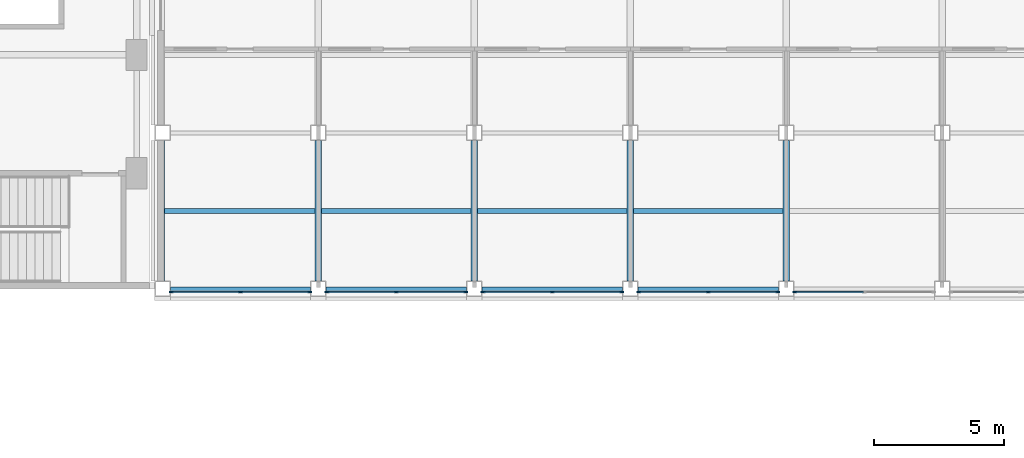
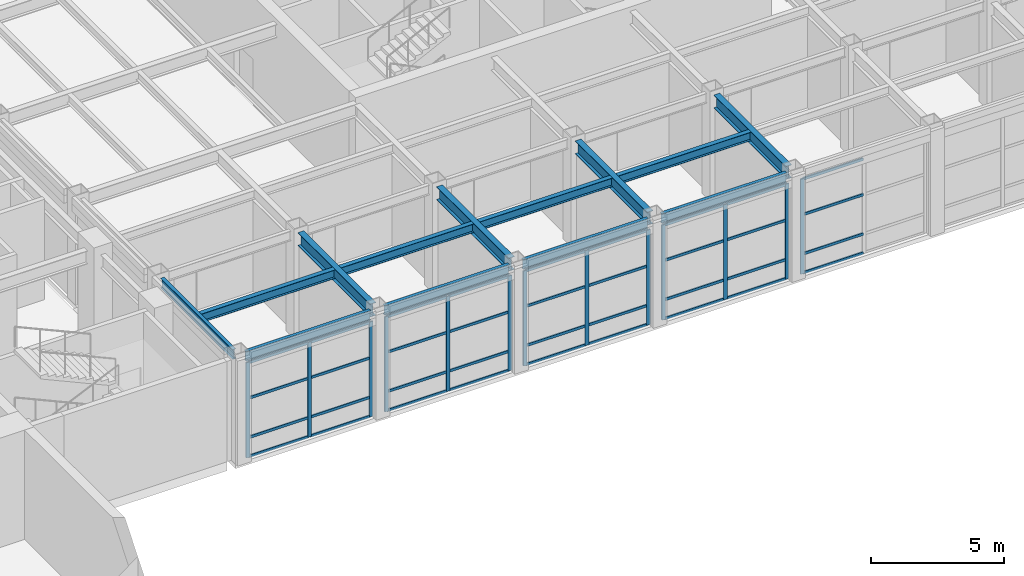
# One storey, part 10 of 67: 49 members, 13 beams, 5 elements without a shape of their own.
"""IFC4 building model written with IfcOpenShell, lengths in metres."""

from ifc_helpers import new_model, si_unit, direction, frame, origin, origin_2d, place, context, subcontext, project, spatial, rectangle, i_section, extrude, material, material_profile, profile_set, type_object, element, aggregate, save


model = new_model("IFC4")

# Units and contexts
model_context = context("Model", 3, precision=1e-05, world=origin(), true_north=direction((0.0, 1.0)))
body_context = subcontext(model_context, "Body", "Model", "MODEL_VIEW")
ifc_project = project(units=[si_unit("LENGTHUNIT", "METRE"), si_unit("AREAUNIT", "SQUARE_METRE"), si_unit("VOLUMEUNIT", "CUBIC_METRE"), si_unit("PLANEANGLEUNIT", "RADIAN"), si_unit("MASSUNIT", "GRAM", prefix="KILO")], contexts=[model_context])

# Site, building, storey
site_placement = place(None, origin())
site = spatial("IfcSite", under=ifc_project, at=site_placement, CompositionType="ELEMENT")
building_placement = place(site_placement, origin())
building = spatial("IfcBuilding", under=site, at=building_placement, Name="Aravalli Gate Trade Fair Centre", CompositionType="ELEMENT")
storey_placement = place(building_placement, frame((0.0, 0.0, 5.0)))
storey = spatial("IfcBuildingStorey", under=building, at=storey_placement, Name="L01", CompositionType="ELEMENT", Elevation=5.0)

# Beams
ifc_material_1 = material(Name="Steel E350", Category="steel")
ifc_material_profile_1 = material_profile(ifc_material_1, i_section(OverallWidth=0.25, OverallDepth=0.60009765625, WebThickness=0.01123046875, FlangeThickness=0.021240234375, at=origin_2d()), Name="ISWB 600")
ifc_profile_set_1 = profile_set([ifc_material_profile_1], Name="Steel E350")
beam_type_1 = type_object("IfcBeamType", Name="Wing core to perimeter girder ISWB 600 (podium floors)", PredefinedType="BEAM", material=ifc_profile_set_1)
for number, where, z_axis, x_axis, name in (
    (1, (172.0, 91.300048828125, 4.5), (0.0, 1.0, 0.0), (-1.0, 0.0, 0.0), "Core to perimeter girder PS0a L02"),
    (2, (178.0, 91.300048828125, 4.5), (0.0, 1.0, 0.0), (-1.0, 0.0, 0.0), "Core to perimeter girder PS1a L02"),
    (3, (184.0, 91.300048828125, 4.5), (0.0, 1.0, 0.0), (-1.0, 0.0, 0.0), "Core to perimeter girder PS2a L02"),
):
    element("IfcBeam", number, at=place(storey_placement, frame(where, z_axis=z_axis, x_axis=x_axis)), inside=storey, type_object=beam_type_1, Name=name, PredefinedType="BEAM", context=body_context, shape_type="SweptSolid", body=[
        extrude(i_section(OverallWidth=0.25, OverallDepth=0.60009765625, WebThickness=0.01123046875, FlangeThickness=0.021240234375, at=origin_2d()), origin(), (0.0, 0.0, 1.0), 5.39990234375),
    ])
ifc_material_profile_2 = material_profile(ifc_material_1, i_section(OverallWidth=0.25, OverallDepth=0.60009765625, WebThickness=0.01123046875, FlangeThickness=0.021240234375, at=origin_2d()), Name="ISWB 600")
ifc_profile_set_2 = profile_set([ifc_material_profile_2], Name="Steel E350")
beam_type_2 = type_object("IfcBeamType", Name="Wing corner transfer girder ISWB 600 (podium floors)", PredefinedType="BEAM", material=ifc_profile_set_2)
beam_1_placement = place(storey_placement, frame((166.0, 91.300048828125, 4.5), z_axis=(0.0, 1.0, 0.0), x_axis=(-1.0, 0.0, 0.0)))
element("IfcBeam", 4, at=beam_1_placement, inside=storey, type_object=beam_type_2, Name="Corner transfer girder CSWya L02", PredefinedType="BEAM", context=body_context, shape_type="SweptSolid", body=[
    extrude(i_section(OverallWidth=0.25, OverallDepth=0.60009765625, WebThickness=0.01123046875, FlangeThickness=0.021240234375, at=origin_2d()), origin(), (0.0, 0.0, 1.0), 5.39990234375),
])

# Curtain wall, members
ifc_material_2 = material(Name="Aluminium and glass", Category="aluminium")
curtain_wall_type = type_object("IfcCurtainWallType", Name="Wing curtain wall", PredefinedType="NOTDEFINED", material=ifc_material_2)
curtain_wall_1_placement = place(storey_placement, origin())
curtain_wall_1 = element("IfcCurtainWall", 5, at=curtain_wall_1_placement, inside=storey, type_object=curtain_wall_type, Name="Curtain wall S0 L01", PredefinedType="NOTDEFINED")
ifc_material_3 = material(Name="Aluminium", Category="aluminium")
ifc_material_profile_3 = material_profile(ifc_material_3, rectangle(XDim=0.06005859375, YDim=0.159912109375, at=origin_2d()), Name="Wing curtain wall mullion 60 x 160")
ifc_profile_set_3 = profile_set([ifc_material_profile_3], Name="Aluminium")
member_type_1 = type_object("IfcMemberType", Name="Wing curtain wall mullion 60 x 160", PredefinedType="MULLION", material=ifc_profile_set_3)
member_1_placement = place(storey_placement, frame((160.330078125, 90.875, 0.0), z_axis=(0.0, 0.0, 1.0), x_axis=(0.0, 1.0, 0.0)))
member_1 = element("IfcMember", 6, at=member_1_placement, type_object=member_type_1, Name="TCW1 mullion 1", PredefinedType="MULLION", context=body_context, shape_type="SweptSolid", body=[
    extrude(rectangle(XDim=0.06005859375, YDim=0.159912109375, at=origin_2d()), origin(), (0.0, 0.0, 1.0), 4.35009765625),
])
member_2_placement = place(storey_placement, frame((163.0, 90.875, 0.0), z_axis=(0.0, 0.0, 1.0), x_axis=(0.0, 1.0, 0.0)))
member_2 = element("IfcMember", 7, at=member_2_placement, type_object=member_type_1, Name="TCW1 mullion 2", PredefinedType="MULLION", context=body_context, shape_type="SweptSolid", body=[
    extrude(rectangle(XDim=0.06005859375, YDim=0.159912109375, at=origin_2d()), origin(), (0.0, 0.0, 1.0), 4.35009765625),
])
member_3_placement = place(storey_placement, frame((165.669921875, 90.875, 0.0), z_axis=(0.0, 0.0, 1.0), x_axis=(0.0, 1.0, 0.0)))
member_3 = element("IfcMember", 8, at=member_3_placement, type_object=member_type_1, Name="TCW1 mullion 3", PredefinedType="MULLION", context=body_context, shape_type="SweptSolid", body=[
    extrude(rectangle(XDim=0.06005859375, YDim=0.159912109375, at=origin_2d()), origin(), (0.0, 0.0, 1.0), 4.35009765625),
])

curtain_wall_2_placement = place(storey_placement, origin())
curtain_wall_2 = element("IfcCurtainWall", 9, at=curtain_wall_2_placement, inside=storey, type_object=curtain_wall_type, Name="Curtain wall S1 L01", PredefinedType="NOTDEFINED")
member_4_placement = place(storey_placement, frame((166.330078125, 90.875, 0.0), z_axis=(0.0, 0.0, 1.0), x_axis=(0.0, 1.0, 0.0)))
member_4 = element("IfcMember", 10, at=member_4_placement, type_object=member_type_1, Name="TCW1 mullion 1", PredefinedType="MULLION", context=body_context, shape_type="SweptSolid", body=[
    extrude(rectangle(XDim=0.06005859375, YDim=0.159912109375, at=origin_2d()), origin(), (0.0, 0.0, 1.0), 4.35009765625),
])
member_5_placement = place(storey_placement, frame((169.0, 90.875, 0.0), z_axis=(0.0, 0.0, 1.0), x_axis=(0.0, 1.0, 0.0)))
member_5 = element("IfcMember", 11, at=member_5_placement, type_object=member_type_1, Name="TCW1 mullion 2", PredefinedType="MULLION", context=body_context, shape_type="SweptSolid", body=[
    extrude(rectangle(XDim=0.06005859375, YDim=0.159912109375, at=origin_2d()), origin(), (0.0, 0.0, 1.0), 4.35009765625),
])
member_6_placement = place(storey_placement, frame((171.669921875, 90.875, 0.0), z_axis=(0.0, 0.0, 1.0), x_axis=(0.0, 1.0, 0.0)))
member_6 = element("IfcMember", 12, at=member_6_placement, type_object=member_type_1, Name="TCW1 mullion 3", PredefinedType="MULLION", context=body_context, shape_type="SweptSolid", body=[
    extrude(rectangle(XDim=0.06005859375, YDim=0.159912109375, at=origin_2d()), origin(), (0.0, 0.0, 1.0), 4.35009765625),
])

curtain_wall_3_placement = place(storey_placement, origin())
curtain_wall_3 = element("IfcCurtainWall", 13, at=curtain_wall_3_placement, inside=storey, type_object=curtain_wall_type, Name="Curtain wall S2 L01", PredefinedType="NOTDEFINED")
member_7_placement = place(storey_placement, frame((172.330078125, 90.875, 0.0), z_axis=(0.0, 0.0, 1.0), x_axis=(0.0, 1.0, 0.0)))
member_7 = element("IfcMember", 14, at=member_7_placement, type_object=member_type_1, Name="TCW1 mullion 1", PredefinedType="MULLION", context=body_context, shape_type="SweptSolid", body=[
    extrude(rectangle(XDim=0.06005859375, YDim=0.159912109375, at=origin_2d()), origin(), (0.0, 0.0, 1.0), 4.35009765625),
])
member_8_placement = place(storey_placement, frame((175.0, 90.875, 0.0), z_axis=(0.0, 0.0, 1.0), x_axis=(0.0, 1.0, 0.0)))
member_8 = element("IfcMember", 15, at=member_8_placement, type_object=member_type_1, Name="TCW1 mullion 2", PredefinedType="MULLION", context=body_context, shape_type="SweptSolid", body=[
    extrude(rectangle(XDim=0.06005859375, YDim=0.159912109375, at=origin_2d()), origin(), (0.0, 0.0, 1.0), 4.35009765625),
])
member_9_placement = place(storey_placement, frame((177.669921875, 90.875, 0.0), z_axis=(0.0, 0.0, 1.0), x_axis=(0.0, 1.0, 0.0)))
member_9 = element("IfcMember", 16, at=member_9_placement, type_object=member_type_1, Name="TCW1 mullion 3", PredefinedType="MULLION", context=body_context, shape_type="SweptSolid", body=[
    extrude(rectangle(XDim=0.06005859375, YDim=0.159912109375, at=origin_2d()), origin(), (0.0, 0.0, 1.0), 4.35009765625),
])

curtain_wall_4_placement = place(storey_placement, origin())
curtain_wall_4 = element("IfcCurtainWall", 17, at=curtain_wall_4_placement, inside=storey, type_object=curtain_wall_type, Name="Curtain wall S3 L01", PredefinedType="NOTDEFINED")
member_10_placement = place(storey_placement, frame((178.330078125, 90.875, 0.0), z_axis=(0.0, 0.0, 1.0), x_axis=(0.0, 1.0, 0.0)))
member_10 = element("IfcMember", 18, at=member_10_placement, type_object=member_type_1, Name="TCW1 mullion 1", PredefinedType="MULLION", context=body_context, shape_type="SweptSolid", body=[
    extrude(rectangle(XDim=0.06005859375, YDim=0.159912109375, at=origin_2d()), origin(), (0.0, 0.0, 1.0), 4.35009765625),
])
member_11_placement = place(storey_placement, frame((181.0, 90.875, 0.0), z_axis=(0.0, 0.0, 1.0), x_axis=(0.0, 1.0, 0.0)))
member_11 = element("IfcMember", 19, at=member_11_placement, type_object=member_type_1, Name="TCW1 mullion 2", PredefinedType="MULLION", context=body_context, shape_type="SweptSolid", body=[
    extrude(rectangle(XDim=0.06005859375, YDim=0.159912109375, at=origin_2d()), origin(), (0.0, 0.0, 1.0), 4.35009765625),
])
member_12_placement = place(storey_placement, frame((183.669921875, 90.875, 0.0), z_axis=(0.0, 0.0, 1.0), x_axis=(0.0, 1.0, 0.0)))
member_12 = element("IfcMember", 20, at=member_12_placement, type_object=member_type_1, Name="TCW1 mullion 3", PredefinedType="MULLION", context=body_context, shape_type="SweptSolid", body=[
    extrude(rectangle(XDim=0.06005859375, YDim=0.159912109375, at=origin_2d()), origin(), (0.0, 0.0, 1.0), 4.35009765625),
])

# Curtain wall, member
curtain_wall_5_placement = place(storey_placement, origin())
curtain_wall_5 = element("IfcCurtainWall", 21, at=curtain_wall_5_placement, inside=storey, type_object=curtain_wall_type, Name="Curtain wall S4 L01", PredefinedType="NOTDEFINED")
member_13_placement = place(storey_placement, frame((184.330078125, 90.875, 0.0), z_axis=(0.0, 0.0, 1.0), x_axis=(0.0, 1.0, 0.0)))
member_13 = element("IfcMember", 22, at=member_13_placement, type_object=member_type_1, Name="TCW1 mullion 1", PredefinedType="MULLION", context=body_context, shape_type="SweptSolid", body=[
    extrude(rectangle(XDim=0.06005859375, YDim=0.159912109375, at=origin_2d()), origin(), (0.0, 0.0, 1.0), 4.35009765625),
])

# Member
ifc_material_profile_4 = material_profile(ifc_material_3, rectangle(XDim=0.06005859375, YDim=0.1201171875, at=origin_2d()), Name="Wing curtain wall transom 60 x 120")
ifc_profile_set_4 = profile_set([ifc_material_profile_4], Name="Aluminium")
member_type_2 = type_object("IfcMemberType", Name="Wing curtain wall transom 60 x 120", PredefinedType="USERDEFINED", material=ifc_profile_set_4)
member_14_placement = place(storey_placement, frame((160.360107421875, 90.875, 0.030029296875), z_axis=(1.0, 0.0, 0.0), x_axis=(0.0, 1.0, 0.0)))
member_14 = element("IfcMember", 23, at=member_14_placement, type_object=member_type_2, Name="TCW1 transom 1.1", ObjectType="TRANSOM", PredefinedType="USERDEFINED", context=body_context, shape_type="SweptSolid", body=[
    extrude(rectangle(XDim=0.06005859375, YDim=0.1201171875, at=origin_2d()), origin(), (0.0, 0.0, 1.0), 2.60986328125),
])

member_15_placement = place(storey_placement, frame((160.360107421875, 90.875, 0.89990234375), z_axis=(1.0, 0.0, 0.0), x_axis=(0.0, 1.0, 0.0)))
member_15 = element("IfcMember", 24, at=member_15_placement, type_object=member_type_2, Name="TCW1 transom 1.2", ObjectType="TRANSOM", PredefinedType="USERDEFINED", context=body_context, shape_type="SweptSolid", body=[
    extrude(rectangle(XDim=0.06005859375, YDim=0.1201171875, at=origin_2d()), origin(), (0.0, 0.0, 1.0), 2.60986328125),
])

member_16_placement = place(storey_placement, frame((160.360107421875, 90.875, 2.699951171875), z_axis=(1.0, 0.0, 0.0), x_axis=(0.0, 1.0, 0.0)))
member_16 = element("IfcMember", 25, at=member_16_placement, type_object=member_type_2, Name="TCW1 transom 1.3", ObjectType="TRANSOM", PredefinedType="USERDEFINED", context=body_context, shape_type="SweptSolid", body=[
    extrude(rectangle(XDim=0.06005859375, YDim=0.1201171875, at=origin_2d()), origin(), (0.0, 0.0, 1.0), 2.60986328125),
])

member_17_placement = place(storey_placement, frame((160.360107421875, 90.875, 4.320068359375), z_axis=(1.0, 0.0, 0.0), x_axis=(0.0, 1.0, 0.0)))
member_17 = element("IfcMember", 26, at=member_17_placement, type_object=member_type_2, Name="TCW1 transom 1.4", ObjectType="TRANSOM", PredefinedType="USERDEFINED", context=body_context, shape_type="SweptSolid", body=[
    extrude(rectangle(XDim=0.06005859375, YDim=0.1201171875, at=origin_2d()), origin(), (0.0, 0.0, 1.0), 2.60986328125),
])

member_18_placement = place(storey_placement, frame((163.030029296875, 90.875, 0.030029296875), z_axis=(1.0, 0.0, 0.0), x_axis=(0.0, 1.0, 0.0)))
member_18 = element("IfcMember", 27, at=member_18_placement, type_object=member_type_2, Name="TCW1 transom 2.1", ObjectType="TRANSOM", PredefinedType="USERDEFINED", context=body_context, shape_type="SweptSolid", body=[
    extrude(rectangle(XDim=0.06005859375, YDim=0.1201171875, at=origin_2d()), origin(), (0.0, 0.0, 1.0), 2.60986328125),
])

member_19_placement = place(storey_placement, frame((163.030029296875, 90.875, 0.89990234375), z_axis=(1.0, 0.0, 0.0), x_axis=(0.0, 1.0, 0.0)))
member_19 = element("IfcMember", 28, at=member_19_placement, type_object=member_type_2, Name="TCW1 transom 2.2", ObjectType="TRANSOM", PredefinedType="USERDEFINED", context=body_context, shape_type="SweptSolid", body=[
    extrude(rectangle(XDim=0.06005859375, YDim=0.1201171875, at=origin_2d()), origin(), (0.0, 0.0, 1.0), 2.60986328125),
])

member_20_placement = place(storey_placement, frame((163.030029296875, 90.875, 2.699951171875), z_axis=(1.0, 0.0, 0.0), x_axis=(0.0, 1.0, 0.0)))
member_20 = element("IfcMember", 29, at=member_20_placement, type_object=member_type_2, Name="TCW1 transom 2.3", ObjectType="TRANSOM", PredefinedType="USERDEFINED", context=body_context, shape_type="SweptSolid", body=[
    extrude(rectangle(XDim=0.06005859375, YDim=0.1201171875, at=origin_2d()), origin(), (0.0, 0.0, 1.0), 2.60986328125),
])

member_21_placement = place(storey_placement, frame((163.030029296875, 90.875, 4.320068359375), z_axis=(1.0, 0.0, 0.0), x_axis=(0.0, 1.0, 0.0)))
member_21 = element("IfcMember", 30, at=member_21_placement, type_object=member_type_2, Name="TCW1 transom 2.4", ObjectType="TRANSOM", PredefinedType="USERDEFINED", context=body_context, shape_type="SweptSolid", body=[
    extrude(rectangle(XDim=0.06005859375, YDim=0.1201171875, at=origin_2d()), origin(), (0.0, 0.0, 1.0), 2.60986328125),
])

aggregate(curtain_wall_1, [member_1, member_2, member_3, member_14, member_15, member_16, member_17, member_18, member_19, member_20, member_21])

member_22_placement = place(storey_placement, frame((166.360107421875, 90.875, 0.030029296875), z_axis=(1.0, 0.0, 0.0), x_axis=(0.0, 1.0, 0.0)))
member_22 = element("IfcMember", 31, at=member_22_placement, type_object=member_type_2, Name="TCW1 transom 1.1", ObjectType="TRANSOM", PredefinedType="USERDEFINED", context=body_context, shape_type="SweptSolid", body=[
    extrude(rectangle(XDim=0.06005859375, YDim=0.1201171875, at=origin_2d()), origin(), (0.0, 0.0, 1.0), 2.60986328125),
])

member_23_placement = place(storey_placement, frame((166.360107421875, 90.875, 0.89990234375), z_axis=(1.0, 0.0, 0.0), x_axis=(0.0, 1.0, 0.0)))
member_23 = element("IfcMember", 32, at=member_23_placement, type_object=member_type_2, Name="TCW1 transom 1.2", ObjectType="TRANSOM", PredefinedType="USERDEFINED", context=body_context, shape_type="SweptSolid", body=[
    extrude(rectangle(XDim=0.06005859375, YDim=0.1201171875, at=origin_2d()), origin(), (0.0, 0.0, 1.0), 2.60986328125),
])

member_24_placement = place(storey_placement, frame((166.360107421875, 90.875, 2.699951171875), z_axis=(1.0, 0.0, 0.0), x_axis=(0.0, 1.0, 0.0)))
member_24 = element("IfcMember", 33, at=member_24_placement, type_object=member_type_2, Name="TCW1 transom 1.3", ObjectType="TRANSOM", PredefinedType="USERDEFINED", context=body_context, shape_type="SweptSolid", body=[
    extrude(rectangle(XDim=0.06005859375, YDim=0.1201171875, at=origin_2d()), origin(), (0.0, 0.0, 1.0), 2.60986328125),
])

member_25_placement = place(storey_placement, frame((166.360107421875, 90.875, 4.320068359375), z_axis=(1.0, 0.0, 0.0), x_axis=(0.0, 1.0, 0.0)))
member_25 = element("IfcMember", 34, at=member_25_placement, type_object=member_type_2, Name="TCW1 transom 1.4", ObjectType="TRANSOM", PredefinedType="USERDEFINED", context=body_context, shape_type="SweptSolid", body=[
    extrude(rectangle(XDim=0.06005859375, YDim=0.1201171875, at=origin_2d()), origin(), (0.0, 0.0, 1.0), 2.60986328125),
])

member_26_placement = place(storey_placement, frame((169.030029296875, 90.875, 0.030029296875), z_axis=(1.0, 0.0, 0.0), x_axis=(0.0, 1.0, 0.0)))
member_26 = element("IfcMember", 35, at=member_26_placement, type_object=member_type_2, Name="TCW1 transom 2.1", ObjectType="TRANSOM", PredefinedType="USERDEFINED", context=body_context, shape_type="SweptSolid", body=[
    extrude(rectangle(XDim=0.06005859375, YDim=0.1201171875, at=origin_2d()), origin(), (0.0, 0.0, 1.0), 2.60986328125),
])

member_27_placement = place(storey_placement, frame((169.030029296875, 90.875, 0.89990234375), z_axis=(1.0, 0.0, 0.0), x_axis=(0.0, 1.0, 0.0)))
member_27 = element("IfcMember", 36, at=member_27_placement, type_object=member_type_2, Name="TCW1 transom 2.2", ObjectType="TRANSOM", PredefinedType="USERDEFINED", context=body_context, shape_type="SweptSolid", body=[
    extrude(rectangle(XDim=0.06005859375, YDim=0.1201171875, at=origin_2d()), origin(), (0.0, 0.0, 1.0), 2.60986328125),
])

member_28_placement = place(storey_placement, frame((169.030029296875, 90.875, 2.699951171875), z_axis=(1.0, 0.0, 0.0), x_axis=(0.0, 1.0, 0.0)))
member_28 = element("IfcMember", 37, at=member_28_placement, type_object=member_type_2, Name="TCW1 transom 2.3", ObjectType="TRANSOM", PredefinedType="USERDEFINED", context=body_context, shape_type="SweptSolid", body=[
    extrude(rectangle(XDim=0.06005859375, YDim=0.1201171875, at=origin_2d()), origin(), (0.0, 0.0, 1.0), 2.60986328125),
])

member_29_placement = place(storey_placement, frame((169.030029296875, 90.875, 4.320068359375), z_axis=(1.0, 0.0, 0.0), x_axis=(0.0, 1.0, 0.0)))
member_29 = element("IfcMember", 38, at=member_29_placement, type_object=member_type_2, Name="TCW1 transom 2.4", ObjectType="TRANSOM", PredefinedType="USERDEFINED", context=body_context, shape_type="SweptSolid", body=[
    extrude(rectangle(XDim=0.06005859375, YDim=0.1201171875, at=origin_2d()), origin(), (0.0, 0.0, 1.0), 2.60986328125),
])

aggregate(curtain_wall_2, [member_4, member_5, member_6, member_22, member_23, member_24, member_25, member_26, member_27, member_28, member_29])

member_30_placement = place(storey_placement, frame((172.360107421875, 90.875, 0.030029296875), z_axis=(1.0, 0.0, 0.0), x_axis=(0.0, 1.0, 0.0)))
member_30 = element("IfcMember", 39, at=member_30_placement, type_object=member_type_2, Name="TCW1 transom 1.1", ObjectType="TRANSOM", PredefinedType="USERDEFINED", context=body_context, shape_type="SweptSolid", body=[
    extrude(rectangle(XDim=0.06005859375, YDim=0.1201171875, at=origin_2d()), origin(), (0.0, 0.0, 1.0), 2.60986328125),
])

member_31_placement = place(storey_placement, frame((172.360107421875, 90.875, 0.89990234375), z_axis=(1.0, 0.0, 0.0), x_axis=(0.0, 1.0, 0.0)))
member_31 = element("IfcMember", 40, at=member_31_placement, type_object=member_type_2, Name="TCW1 transom 1.2", ObjectType="TRANSOM", PredefinedType="USERDEFINED", context=body_context, shape_type="SweptSolid", body=[
    extrude(rectangle(XDim=0.06005859375, YDim=0.1201171875, at=origin_2d()), origin(), (0.0, 0.0, 1.0), 2.60986328125),
])

member_32_placement = place(storey_placement, frame((172.360107421875, 90.875, 2.699951171875), z_axis=(1.0, 0.0, 0.0), x_axis=(0.0, 1.0, 0.0)))
member_32 = element("IfcMember", 41, at=member_32_placement, type_object=member_type_2, Name="TCW1 transom 1.3", ObjectType="TRANSOM", PredefinedType="USERDEFINED", context=body_context, shape_type="SweptSolid", body=[
    extrude(rectangle(XDim=0.06005859375, YDim=0.1201171875, at=origin_2d()), origin(), (0.0, 0.0, 1.0), 2.60986328125),
])

member_33_placement = place(storey_placement, frame((172.360107421875, 90.875, 4.320068359375), z_axis=(1.0, 0.0, 0.0), x_axis=(0.0, 1.0, 0.0)))
member_33 = element("IfcMember", 42, at=member_33_placement, type_object=member_type_2, Name="TCW1 transom 1.4", ObjectType="TRANSOM", PredefinedType="USERDEFINED", context=body_context, shape_type="SweptSolid", body=[
    extrude(rectangle(XDim=0.06005859375, YDim=0.1201171875, at=origin_2d()), origin(), (0.0, 0.0, 1.0), 2.60986328125),
])

member_34_placement = place(storey_placement, frame((175.030029296875, 90.875, 0.030029296875), z_axis=(1.0, 0.0, 0.0), x_axis=(0.0, 1.0, 0.0)))
member_34 = element("IfcMember", 43, at=member_34_placement, type_object=member_type_2, Name="TCW1 transom 2.1", ObjectType="TRANSOM", PredefinedType="USERDEFINED", context=body_context, shape_type="SweptSolid", body=[
    extrude(rectangle(XDim=0.06005859375, YDim=0.1201171875, at=origin_2d()), origin(), (0.0, 0.0, 1.0), 2.60986328125),
])

member_35_placement = place(storey_placement, frame((175.030029296875, 90.875, 0.89990234375), z_axis=(1.0, 0.0, 0.0), x_axis=(0.0, 1.0, 0.0)))
member_35 = element("IfcMember", 44, at=member_35_placement, type_object=member_type_2, Name="TCW1 transom 2.2", ObjectType="TRANSOM", PredefinedType="USERDEFINED", context=body_context, shape_type="SweptSolid", body=[
    extrude(rectangle(XDim=0.06005859375, YDim=0.1201171875, at=origin_2d()), origin(), (0.0, 0.0, 1.0), 2.60986328125),
])

member_36_placement = place(storey_placement, frame((175.030029296875, 90.875, 2.699951171875), z_axis=(1.0, 0.0, 0.0), x_axis=(0.0, 1.0, 0.0)))
member_36 = element("IfcMember", 45, at=member_36_placement, type_object=member_type_2, Name="TCW1 transom 2.3", ObjectType="TRANSOM", PredefinedType="USERDEFINED", context=body_context, shape_type="SweptSolid", body=[
    extrude(rectangle(XDim=0.06005859375, YDim=0.1201171875, at=origin_2d()), origin(), (0.0, 0.0, 1.0), 2.60986328125),
])

member_37_placement = place(storey_placement, frame((175.030029296875, 90.875, 4.320068359375), z_axis=(1.0, 0.0, 0.0), x_axis=(0.0, 1.0, 0.0)))
member_37 = element("IfcMember", 46, at=member_37_placement, type_object=member_type_2, Name="TCW1 transom 2.4", ObjectType="TRANSOM", PredefinedType="USERDEFINED", context=body_context, shape_type="SweptSolid", body=[
    extrude(rectangle(XDim=0.06005859375, YDim=0.1201171875, at=origin_2d()), origin(), (0.0, 0.0, 1.0), 2.60986328125),
])

aggregate(curtain_wall_3, [member_7, member_8, member_9, member_30, member_31, member_32, member_33, member_34, member_35, member_36, member_37])

member_38_placement = place(storey_placement, frame((178.360107421875, 90.875, 0.030029296875), z_axis=(1.0, 0.0, 0.0), x_axis=(0.0, 1.0, 0.0)))
member_38 = element("IfcMember", 47, at=member_38_placement, type_object=member_type_2, Name="TCW1 transom 1.1", ObjectType="TRANSOM", PredefinedType="USERDEFINED", context=body_context, shape_type="SweptSolid", body=[
    extrude(rectangle(XDim=0.06005859375, YDim=0.1201171875, at=origin_2d()), origin(), (0.0, 0.0, 1.0), 2.60986328125),
])

member_39_placement = place(storey_placement, frame((178.360107421875, 90.875, 0.89990234375), z_axis=(1.0, 0.0, 0.0), x_axis=(0.0, 1.0, 0.0)))
member_39 = element("IfcMember", 48, at=member_39_placement, type_object=member_type_2, Name="TCW1 transom 1.2", ObjectType="TRANSOM", PredefinedType="USERDEFINED", context=body_context, shape_type="SweptSolid", body=[
    extrude(rectangle(XDim=0.06005859375, YDim=0.1201171875, at=origin_2d()), origin(), (0.0, 0.0, 1.0), 2.60986328125),
])

member_40_placement = place(storey_placement, frame((178.360107421875, 90.875, 2.699951171875), z_axis=(1.0, 0.0, 0.0), x_axis=(0.0, 1.0, 0.0)))
member_40 = element("IfcMember", 49, at=member_40_placement, type_object=member_type_2, Name="TCW1 transom 1.3", ObjectType="TRANSOM", PredefinedType="USERDEFINED", context=body_context, shape_type="SweptSolid", body=[
    extrude(rectangle(XDim=0.06005859375, YDim=0.1201171875, at=origin_2d()), origin(), (0.0, 0.0, 1.0), 2.60986328125),
])

member_41_placement = place(storey_placement, frame((178.360107421875, 90.875, 4.320068359375), z_axis=(1.0, 0.0, 0.0), x_axis=(0.0, 1.0, 0.0)))
member_41 = element("IfcMember", 50, at=member_41_placement, type_object=member_type_2, Name="TCW1 transom 1.4", ObjectType="TRANSOM", PredefinedType="USERDEFINED", context=body_context, shape_type="SweptSolid", body=[
    extrude(rectangle(XDim=0.06005859375, YDim=0.1201171875, at=origin_2d()), origin(), (0.0, 0.0, 1.0), 2.60986328125),
])

member_42_placement = place(storey_placement, frame((181.030029296875, 90.875, 0.030029296875), z_axis=(1.0, 0.0, 0.0), x_axis=(0.0, 1.0, 0.0)))
member_42 = element("IfcMember", 51, at=member_42_placement, type_object=member_type_2, Name="TCW1 transom 2.1", ObjectType="TRANSOM", PredefinedType="USERDEFINED", context=body_context, shape_type="SweptSolid", body=[
    extrude(rectangle(XDim=0.06005859375, YDim=0.1201171875, at=origin_2d()), origin(), (0.0, 0.0, 1.0), 2.60986328125),
])

member_43_placement = place(storey_placement, frame((181.030029296875, 90.875, 0.89990234375), z_axis=(1.0, 0.0, 0.0), x_axis=(0.0, 1.0, 0.0)))
member_43 = element("IfcMember", 52, at=member_43_placement, type_object=member_type_2, Name="TCW1 transom 2.2", ObjectType="TRANSOM", PredefinedType="USERDEFINED", context=body_context, shape_type="SweptSolid", body=[
    extrude(rectangle(XDim=0.06005859375, YDim=0.1201171875, at=origin_2d()), origin(), (0.0, 0.0, 1.0), 2.60986328125),
])

member_44_placement = place(storey_placement, frame((181.030029296875, 90.875, 2.699951171875), z_axis=(1.0, 0.0, 0.0), x_axis=(0.0, 1.0, 0.0)))
member_44 = element("IfcMember", 53, at=member_44_placement, type_object=member_type_2, Name="TCW1 transom 2.3", ObjectType="TRANSOM", PredefinedType="USERDEFINED", context=body_context, shape_type="SweptSolid", body=[
    extrude(rectangle(XDim=0.06005859375, YDim=0.1201171875, at=origin_2d()), origin(), (0.0, 0.0, 1.0), 2.60986328125),
])

member_45_placement = place(storey_placement, frame((181.030029296875, 90.875, 4.320068359375), z_axis=(1.0, 0.0, 0.0), x_axis=(0.0, 1.0, 0.0)))
member_45 = element("IfcMember", 54, at=member_45_placement, type_object=member_type_2, Name="TCW1 transom 2.4", ObjectType="TRANSOM", PredefinedType="USERDEFINED", context=body_context, shape_type="SweptSolid", body=[
    extrude(rectangle(XDim=0.06005859375, YDim=0.1201171875, at=origin_2d()), origin(), (0.0, 0.0, 1.0), 2.60986328125),
])

aggregate(curtain_wall_4, [member_10, member_11, member_12, member_38, member_39, member_40, member_41, member_42, member_43, member_44, member_45])

member_46_placement = place(storey_placement, frame((184.360107421875, 90.875, 0.030029296875), z_axis=(1.0, 0.0, 0.0), x_axis=(0.0, 1.0, 0.0)))
member_46 = element("IfcMember", 55, at=member_46_placement, type_object=member_type_2, Name="TCW1 transom 1.1", ObjectType="TRANSOM", PredefinedType="USERDEFINED", context=body_context, shape_type="SweptSolid", body=[
    extrude(rectangle(XDim=0.06005859375, YDim=0.1201171875, at=origin_2d()), origin(), (0.0, 0.0, 1.0), 2.60986328125),
])

member_47_placement = place(storey_placement, frame((184.360107421875, 90.875, 0.89990234375), z_axis=(1.0, 0.0, 0.0), x_axis=(0.0, 1.0, 0.0)))
member_47 = element("IfcMember", 56, at=member_47_placement, type_object=member_type_2, Name="TCW1 transom 1.2", ObjectType="TRANSOM", PredefinedType="USERDEFINED", context=body_context, shape_type="SweptSolid", body=[
    extrude(rectangle(XDim=0.06005859375, YDim=0.1201171875, at=origin_2d()), origin(), (0.0, 0.0, 1.0), 2.60986328125),
])

member_48_placement = place(storey_placement, frame((184.360107421875, 90.875, 2.699951171875), z_axis=(1.0, 0.0, 0.0), x_axis=(0.0, 1.0, 0.0)))
member_48 = element("IfcMember", 57, at=member_48_placement, type_object=member_type_2, Name="TCW1 transom 1.3", ObjectType="TRANSOM", PredefinedType="USERDEFINED", context=body_context, shape_type="SweptSolid", body=[
    extrude(rectangle(XDim=0.06005859375, YDim=0.1201171875, at=origin_2d()), origin(), (0.0, 0.0, 1.0), 2.60986328125),
])

member_49_placement = place(storey_placement, frame((184.360107421875, 90.875, 4.320068359375), z_axis=(1.0, 0.0, 0.0), x_axis=(0.0, 1.0, 0.0)))
member_49 = element("IfcMember", 58, at=member_49_placement, type_object=member_type_2, Name="TCW1 transom 1.4", ObjectType="TRANSOM", PredefinedType="USERDEFINED", context=body_context, shape_type="SweptSolid", body=[
    extrude(rectangle(XDim=0.06005859375, YDim=0.1201171875, at=origin_2d()), origin(), (0.0, 0.0, 1.0), 2.60986328125),
])

aggregate(curtain_wall_5, [member_13, member_46, member_47, member_48, member_49])

# Beams
ifc_material_profile_5 = material_profile(ifc_material_1, i_section(OverallWidth=0.14990234375, OverallDepth=0.449951171875, WebThickness=0.009521484375, FlangeThickness=0.017333984375, at=origin_2d()), Name="ISMB 450")
ifc_profile_set_5 = profile_set([ifc_material_profile_5], Name="Steel E350")
beam_type_3 = type_object("IfcBeamType", Name="Wing perimeter beam ISMB 450 (podium floors)", PredefinedType="BEAM", material=ifc_profile_set_5)
for number, where, z_axis, x_axis, name in (
    (59, (160.300048828125, 91.0, 4.574951171875), (1.0, 0.0, 0.0), (0.0, 1.0, 0.0), "Perimeter beam ES0 L02"),
    (60, (166.300048828125, 91.0, 4.574951171875), (1.0, 0.0, 0.0), (0.0, 1.0, 0.0), "Perimeter beam ES1 L02"),
    (61, (172.300048828125, 91.0, 4.574951171875), (1.0, 0.0, 0.0), (0.0, 1.0, 0.0), "Perimeter beam ES2 L02"),
    (62, (178.300048828125, 91.0, 4.574951171875), (1.0, 0.0, 0.0), (0.0, 1.0, 0.0), "Perimeter beam ES3 L02"),
    (63, (160.0, 91.300048828125, 4.574951171875), (0.0, 1.0, 0.0), (-1.0, 0.0, 0.0), "Perimeter beam EW0 L02"),
):
    element("IfcBeam", number, at=place(storey_placement, frame(where, z_axis=z_axis, x_axis=x_axis)), inside=storey, type_object=beam_type_3, Name=name, PredefinedType="BEAM", context=body_context, shape_type="SweptSolid", body=[
        extrude(i_section(OverallWidth=0.14990234375, OverallDepth=0.449951171875, WebThickness=0.009521484375, FlangeThickness=0.017333984375, at=origin_2d()), origin(), (0.0, 0.0, 1.0), 5.39990234375),
    ])
ifc_material_profile_6 = material_profile(ifc_material_1, i_section(OverallWidth=0.199951171875, OverallDepth=0.39990234375, WebThickness=0.008544921875, FlangeThickness=0.012939453125, at=origin_2d()), Name="ISWB 400")
ifc_profile_set_6 = profile_set([ifc_material_profile_6], Name="Steel E350")
beam_type_4 = type_object("IfcBeamType", Name="Wing secondary beam ISWB 400 (podium floors)", PredefinedType="BEAM", material=ifc_profile_set_6)
beam_2_placement = place(storey_placement, frame((160.074951171875, 94.0, 4.60009765625), z_axis=(1.0, 0.0, 0.0), x_axis=(0.0, 1.0, 0.0)))
element("IfcBeam", 64, at=beam_2_placement, inside=storey, type_object=beam_type_4, Name="Secondary beam KWS00 L02", PredefinedType="BEAM", context=body_context, shape_type="SweptSolid", body=[
    extrude(i_section(OverallWidth=0.199951171875, OverallDepth=0.39990234375, WebThickness=0.008544921875, FlangeThickness=0.012939453125, at=origin_2d()), origin(), (0.0, 0.0, 1.0), 5.800048828125),
])
for number, where, z_axis, x_axis, name in (
    (65, (166.125, 94.0, 4.60009765625), (1.0, 0.0, 0.0), (0.0, 1.0, 0.0), "Secondary beam KWS01 L02"),
    (66, (172.125, 94.0, 4.60009765625), (1.0, 0.0, 0.0), (0.0, 1.0, 0.0), "Secondary beam BS094 L02"),
    (67, (178.125, 94.0, 4.60009765625), (1.0, 0.0, 0.0), (0.0, 1.0, 0.0), "Secondary beam BS194 L02"),
):
    element("IfcBeam", number, at=place(storey_placement, frame(where, z_axis=z_axis, x_axis=x_axis)), inside=storey, type_object=beam_type_4, Name=name, PredefinedType="BEAM", context=body_context, shape_type="SweptSolid", body=[
        extrude(i_section(OverallWidth=0.199951171875, OverallDepth=0.39990234375, WebThickness=0.008544921875, FlangeThickness=0.012939453125, at=origin_2d()), origin(), (0.0, 0.0, 1.0), 5.75),
    ])

save(model, "model.ifc")
